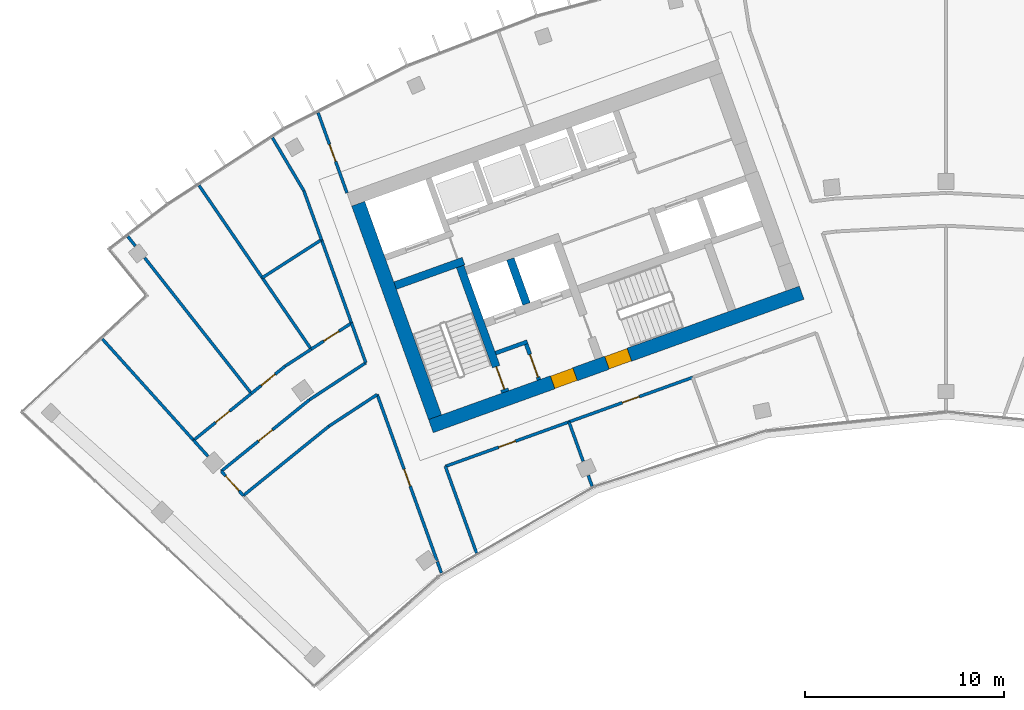
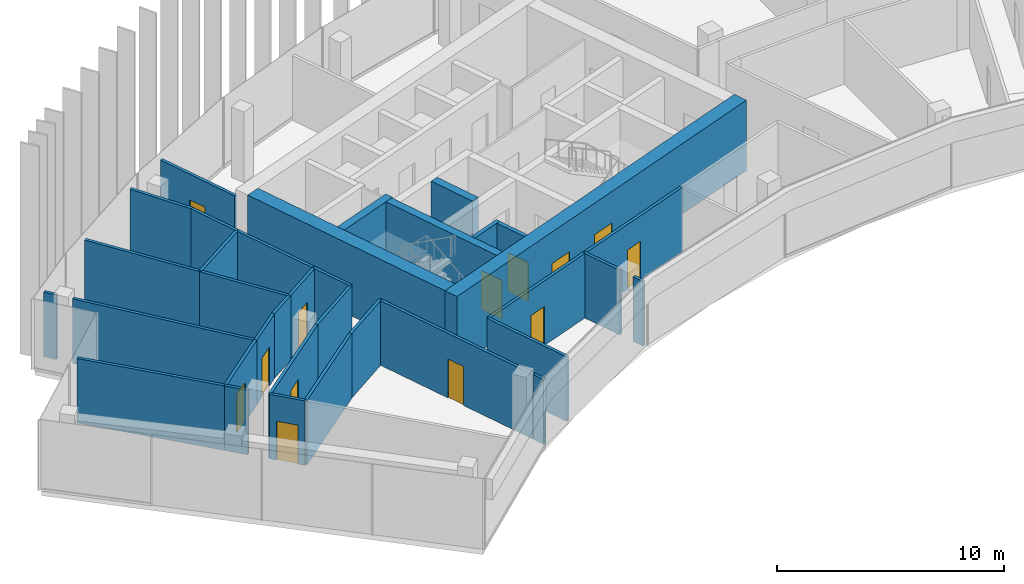
# One storey, part 13 of 19: 35 walls, 13 doors, 13 openings.
"""IFC4 building model written with IfcOpenShell, lengths in metres."""

from ifc_helpers import new_model, si_unit, direction, frame, frame_2d, origin, place, context, subcontext, project, spatial, rectangle, extrude, material, layer, layer_set, type_object, element, fill, save


model = new_model("IFC4")

# Units and contexts
model_context = context("Model", 3, precision=1e-05, world=origin(), true_north=direction((0.0, 1.0)))
body_context = subcontext(model_context, "Body", "Model", "MODEL_VIEW")
ifc_project = project(units=[si_unit("LENGTHUNIT", "METRE"), si_unit("AREAUNIT", "SQUARE_METRE"), si_unit("VOLUMEUNIT", "CUBIC_METRE"), si_unit("PLANEANGLEUNIT", "RADIAN"), si_unit("MASSUNIT", "GRAM", prefix="KILO")], contexts=[model_context])

# Site, building, storey
site_placement = place(None, origin())
site = spatial("IfcSite", under=ifc_project, at=site_placement, CompositionType="ELEMENT")
building_placement = place(site_placement, origin())
building = spatial("IfcBuilding", under=site, at=building_placement, Name="Stone Belt Terrace Tower", CompositionType="ELEMENT")
storey_placement = place(building_placement, frame((0.0, 0.0, 258.0)))
storey = spatial("IfcBuildingStorey", under=building, at=storey_placement, Name="L62", CompositionType="ELEMENT", Elevation=258.0)

# Wall, openings, doors
ifc_material_1 = material(Name="Concrete B60", Category="concrete")
ifc_layer_1 = layer(ifc_material_1, 0.699951171875)
ifc_layer_set_1 = layer_set([ifc_layer_1], Name="Core wall 700 B60")
wall_type_1 = type_object("IfcWallType", Name="Core wall 700 B60", PredefinedType="SHEAR", material=ifc_layer_set_1)
wall_1_placement = place(storey_placement, frame((-25.890869140625, 42.705810546875, 0.0), z_axis=(0.0, 0.0, 1.0), x_axis=(0.940925130461, 0.338614676094, 0.0)))
wall_1 = element("IfcWall", 1, at=wall_1_placement, inside=storey, type_object=wall_type_1, Name="Core A wall concave L62", PredefinedType="SHEAR", context=body_context, shape_type="SweptSolid", body=[
    extrude(rectangle(XDim=19.800048828125, YDim=0.699951171875, at=frame_2d((9.89990234375, 0.0))), origin(), (0.0, 0.0, 1.0), 3.800048828125),
])
opening_1_placement = place(wall_1_placement, frame((6.5, 0.0, 0.0)))
opening_1 = element("IfcOpeningElement", 2, at=opening_1_placement, cuts=wall_1, Name="Opening L62-C07", PredefinedType="OPENING", context=body_context, shape_type="SweptSolid", body=[
    extrude(rectangle(XDim=1.199951171875, YDim=2.10009765625, at=frame_2d((0.60009765625, 1.050048828125))), frame((0.0, 0.35986328125, 0.0), z_axis=(0.0, -1.0, 0.0), x_axis=(1.0, 0.0, 0.0)), (0.0, 0.0, 1.0), 0.719970703125),
])
opening_2_placement = place(wall_1_placement, frame((9.39990234375, 0.0, 0.0)))
opening_2 = element("IfcOpeningElement", 3, at=opening_2_placement, cuts=wall_1, Name="Opening L62-C09", PredefinedType="OPENING", context=body_context, shape_type="SweptSolid", body=[
    extrude(rectangle(XDim=1.199951171875, YDim=2.10009765625, at=frame_2d((0.60009765625, 1.050048828125))), frame((0.0, 0.35986328125, 0.0), z_axis=(0.0, -1.0, 0.0), x_axis=(1.0, 0.0, 0.0)), (0.0, 0.0, 1.0), 0.719970703125),
])
ifc_material_2 = material(Name="Steel door leaf", Category="steel")
door_type_1 = type_object("IfcDoorType", Name="Fire-fighting lobby door 1200", OperationType="SINGLE_SWING_LEFT", PredefinedType="DOOR", material=ifc_material_2)
door_1_placement = place(opening_1_placement, origin())
door_1 = element("IfcDoor", 4, at=door_1_placement, inside=storey, type_object=door_type_1, Name="Fire-fighting lobby door core A", OperationType="SINGLE_SWING_LEFT", OverallHeight=2.10009765625, OverallWidth=1.199951171875, PredefinedType="DOOR", context=body_context, shape_type="SweptSolid", body=[
    extrude(rectangle(XDim=1.199951171875, YDim=2.10009765625, at=frame_2d((0.60009765625, 1.050048828125))), frame((0.0, 0.330078125, 0.0), z_axis=(0.0, -1.0, 0.0), x_axis=(1.0, 0.0, 0.0)), (0.0, 0.0, 1.0), 0.659912109375),
])
fill(opening_1, door_1)
door_type_2 = type_object("IfcDoorType", Name="Stair door 1200", OperationType="SINGLE_SWING_LEFT", PredefinedType="DOOR", material=ifc_material_2)
door_2_placement = place(opening_2_placement, origin())
door_2 = element("IfcDoor", 5, at=door_2_placement, inside=storey, type_object=door_type_2, Name="Stair 2 exit door core A", OperationType="SINGLE_SWING_RIGHT", OverallHeight=2.10009765625, OverallWidth=1.199951171875, PredefinedType="DOOR", context=body_context, shape_type="SweptSolid", body=[
    extrude(rectangle(XDim=1.199951171875, YDim=2.10009765625, at=frame_2d((0.60009765625, 1.050048828125))), frame((0.0, 0.330078125, 0.0), z_axis=(0.0, -1.0, 0.0), x_axis=(1.0, 0.0, 0.0)), (0.0, 0.0, 1.0), 0.659912109375),
])
fill(opening_2, door_2)

# Walls
wall_2_placement = place(storey_placement, frame((-25.679931640625, 43.153564453125, 0.0), z_axis=(0.0, 0.0, 1.0), x_axis=(-0.338625431531, 0.940921259788, 0.0)))
element("IfcWall", 6, at=wall_2_placement, inside=storey, type_object=wall_type_1, Name="Core A wall end_a L62", PredefinedType="SHEAR", context=body_context, shape_type="SweptSolid", body=[
    extrude(rectangle(XDim=11.400146484375, YDim=0.699951171875, at=frame_2d((5.7001953125, 0.0))), origin(), (0.0, 0.0, 1.0), 3.800048828125),
])
ifc_material_3 = material(Name="Concrete B80", Category="concrete")
ifc_layer_2 = layer(ifc_material_3, 0.39990234375)
ifc_layer_set_2 = layer_set([ifc_layer_2], Name="Fire-fighting lift shaft wall 400")
wall_type_2 = type_object("IfcWallType", Name="Fire-fighting lift shaft wall 400", PredefinedType="SHEAR", material=ifc_layer_set_2)
wall_3_placement = place(storey_placement, frame((-21.0859375, 48.845458984375, 0.0), z_axis=(0.0, 0.0, 1.0), x_axis=(-0.338629416206, 0.940919825745, 0.0)))
element("IfcWall", 7, at=wall_3_placement, inside=storey, type_object=wall_type_2, Name="Core A wall", PredefinedType="SHEAR", context=body_context, shape_type="SweptSolid", body=[
    extrude(rectangle(XDim=2.400146484375, YDim=0.39990234375, at=frame_2d((1.2001953125, 0.0))), origin(), (0.0, 0.0, 1.0), 3.47998046875),
])
ifc_material_4 = material(Name="Gypsum board partition")
ifc_layer_3 = layer(ifc_material_4, 0.14990234375)
ifc_layer_set_3 = layer_set([ifc_layer_3], Name="PARTITION 150 EI 60")
wall_type_3 = type_object("IfcWallType", Name="PARTITION 150 EI 60", PredefinedType="PARTITIONING", material=ifc_layer_set_3)
wall_4_placement = place(storey_placement, frame((-25.1650390625, 40.68896484375, 0.0), z_axis=(0.0, 0.0, 1.0), x_axis=(0.338672803798, -0.940904209773, 0.0)))
element("IfcWall", 8, at=wall_4_placement, inside=storey, type_object=wall_type_3, Name="L62/wall/i001", PredefinedType="PARTITIONING", context=body_context, shape_type="SweptSolid", body=[
    extrude(rectangle(XDim=4.631591796875, YDim=0.14990234375, at=frame_2d((2.31591796875, 0.0))), origin(), (0.0, 0.0, 1.0), 3.47998046875),
])

# Wall, opening, door
wall_5_placement = place(storey_placement, frame((-31.556884765625, 58.451171875, 0.0), z_axis=(0.0, 0.0, 1.0), x_axis=(0.338725523051, -0.940885232127, 0.0)))
wall_5 = element("IfcWall", 9, at=wall_5_placement, inside=storey, type_object=wall_type_3, Name="L62/wall/i002", PredefinedType="PARTITIONING", context=body_context, shape_type="SweptSolid", body=[
    extrude(rectangle(XDim=4.283447265625, YDim=0.14990234375, at=frame_2d((2.1416015625, 0.0))), origin(), (0.0, 0.0, 1.0), 3.47998046875),
])
opening_3_placement = place(wall_5_placement, frame((1.691650390625, 0.0, 0.0)))
opening_3 = element("IfcOpeningElement", 10, at=opening_3_placement, cuts=wall_5, Name="Opening D-SK2-04", PredefinedType="OPENING", context=body_context, shape_type="SweptSolid", body=[
    extrude(rectangle(XDim=0.89990234375, YDim=2.10009765625, at=frame_2d((0.449951171875, 1.050048828125))), frame((0.0, 0.0849609375, 0.0), z_axis=(0.0, -1.0, 0.0), x_axis=(1.0, 0.0, 0.0)), (0.0, 0.0, 1.0), 0.169921875),
])
ifc_material_5 = material(Name="Timber door leaf", Category="wood")
door_type_3 = type_object("IfcDoorType", Name="OFFICE DOOR 900 X 2100", OperationType="NOTDEFINED", PredefinedType="DOOR", material=ifc_material_5)
door_3_placement = place(opening_3_placement, origin())
door_3 = element("IfcDoor", 11, at=door_3_placement, inside=storey, type_object=door_type_3, Name="L62/door/i04", OperationType="SINGLE_SWING_RIGHT", OverallHeight=2.10009765625, OverallWidth=0.89990234375, PredefinedType="DOOR", context=body_context, shape_type="SweptSolid", body=[
    extrude(rectangle(XDim=0.89990234375, YDim=2.10009765625, at=frame_2d((0.449951171875, 1.050048828125))), frame((0.0, 0.02490234375, 0.0), z_axis=(0.0, -1.0, 0.0), x_axis=(1.0, 0.0, 0.0)), (0.0, 0.0, 1.0), 0.050048828125),
])
fill(opening_3, door_3)

# Wall
wall_6_placement = place(storey_placement, frame((-25.361083984375, 35.330810546875, 0.0), z_axis=(0.0, 0.0, 1.0), x_axis=(-0.338533716033, 0.940954261964, 0.0)))
element("IfcWall", 12, at=wall_6_placement, inside=storey, type_object=wall_type_3, Name="L62/wall/i003", PredefinedType="PARTITIONING", context=body_context, shape_type="SweptSolid", body=[
    extrude(rectangle(XDim=0.60498046875, YDim=0.14990234375, at=frame_2d((0.302490234375, 0.0))), origin(), (0.0, 0.0, 1.0), 3.47998046875),
])

# Wall, opening, door
wall_7_placement = place(storey_placement, frame((-25.580322265625, 35.93994140625, 0.0), z_axis=(0.0, 0.0, 1.0), x_axis=(-0.338634815437, 0.940917882588, 0.0)))
wall_7 = element("IfcWall", 13, at=wall_7_placement, inside=storey, type_object=wall_type_3, Name="L62/wall/i004", PredefinedType="PARTITIONING", context=body_context, shape_type="SweptSolid", body=[
    extrude(rectangle(XDim=8.885009765625, YDim=0.14990234375, at=frame_2d((4.4423828125, 0.0))), origin(), (0.0, 0.0, 1.0), 3.47998046875),
])
opening_4_placement = place(wall_7_placement, frame((3.992431640625, 0.0, 0.0)))
opening_4 = element("IfcOpeningElement", 14, at=opening_4_placement, cuts=wall_7, Name="Opening D-SK2-12", PredefinedType="OPENING", context=body_context, shape_type="SweptSolid", body=[
    extrude(rectangle(XDim=0.89990234375, YDim=2.10009765625, at=frame_2d((0.449951171875, 1.050048828125))), frame((0.0, 0.0849609375, 0.0), z_axis=(0.0, -1.0, 0.0), x_axis=(1.0, 0.0, 0.0)), (0.0, 0.0, 1.0), 0.169921875),
])
door_4_placement = place(opening_4_placement, origin())
door_4 = element("IfcDoor", 15, at=door_4_placement, inside=storey, type_object=door_type_3, Name="L62/door/i12", OperationType="SINGLE_SWING_RIGHT", OverallHeight=2.10009765625, OverallWidth=0.89990234375, PredefinedType="DOOR", context=body_context, shape_type="SweptSolid", body=[
    extrude(rectangle(XDim=0.89990234375, YDim=2.10009765625, at=frame_2d((0.449951171875, 1.050048828125))), frame((0.0, 0.02490234375, 0.0), z_axis=(0.0, -1.0, 0.0), x_axis=(1.0, 0.0, 0.0)), (0.0, 0.0, 1.0), 0.050048828125),
])
fill(opening_4, door_4)

# Walls
wall_8_placement = place(storey_placement, frame((-29.158935546875, 45.884033203125, 0.0), z_axis=(0.0, 0.0, 1.0), x_axis=(-0.338743799147, 0.940878652398, 0.0)))
element("IfcWall", 16, at=wall_8_placement, inside=storey, type_object=wall_type_3, Name="L62/wall/i005", PredefinedType="PARTITIONING", context=body_context, shape_type="SweptSolid", body=[
    extrude(rectangle(XDim=2.1318359375, YDim=0.14990234375, at=frame_2d((1.06591796875, 0.0))), origin(), (0.0, 0.0, 1.0), 3.47998046875),
])
wall_9_placement = place(storey_placement, frame((-29.8779296875, 47.87890625, 0.0), z_axis=(0.0, 0.0, 1.0), x_axis=(-0.338467539999, 0.940978067952, 0.0)))
element("IfcWall", 17, at=wall_9_placement, inside=storey, type_object=wall_type_3, Name="L62/wall/i006", PredefinedType="PARTITIONING", context=body_context, shape_type="SweptSolid", body=[
    extrude(rectangle(XDim=4.46142578125, YDim=0.14990234375, at=frame_2d((2.230712890625, 0.0))), origin(), (0.0, 0.0, 1.0), 3.47998046875),
])
wall_10_placement = place(storey_placement, frame((-31.385009765625, 52.06591796875, 0.0), z_axis=(0.0, 0.0, 1.0), x_axis=(-0.338576932307, 0.940938712621, 0.0)))
element("IfcWall", 18, at=wall_10_placement, inside=storey, type_object=wall_type_3, Name="L62/wall/i007", PredefinedType="PARTITIONING", context=body_context, shape_type="SweptSolid", body=[
    extrude(rectangle(XDim=2.608154296875, YDim=0.14990234375, at=frame_2d((1.30419921875, 0.0))), origin(), (0.0, 0.0, 1.0), 3.47998046875),
])
wall_11_placement = place(storey_placement, frame((-32.26806640625, 54.52001953125, 0.0), z_axis=(0.0, 0.0, 1.0), x_axis=(-0.509561548311, 0.860434209271, 0.0)))
element("IfcWall", 19, at=wall_11_placement, inside=storey, type_object=wall_type_3, Name="L62/wall/i008", PredefinedType="PARTITIONING", context=body_context, shape_type="SweptSolid", body=[
    extrude(rectangle(XDim=3.1123046875, YDim=0.14990234375, at=frame_2d((1.55615234375, 0.0))), origin(), (0.0, 0.0, 1.0), 3.47998046875),
])

# Wall, opening, door
wall_12_placement = place(storey_placement, frame((-18.947021484375, 42.919921875, 0.0), z_axis=(0.0, 0.0, 1.0), x_axis=(-0.940934042754, -0.338589910047, 0.0)))
wall_12 = element("IfcWall", 20, at=wall_12_placement, inside=storey, type_object=wall_type_3, Name="L62/wall/i014", PredefinedType="PARTITIONING", context=body_context, shape_type="SweptSolid", body=[
    extrude(rectangle(XDim=6.606201171875, YDim=0.14990234375, at=frame_2d((3.30322265625, 0.0))), origin(), (0.0, 0.0, 1.0), 3.47998046875),
])
opening_5_placement = place(wall_12_placement, frame((2.85302734375, 0.0, 0.0)))
opening_5 = element("IfcOpeningElement", 21, at=opening_5_placement, cuts=wall_12, Name="Opening D-SK2-01", PredefinedType="OPENING", context=body_context, shape_type="SweptSolid", body=[
    extrude(rectangle(XDim=0.89990234375, YDim=2.10009765625, at=frame_2d((0.449951171875, 1.050048828125))), frame((0.0, 0.0849609375, 0.0), z_axis=(0.0, -1.0, 0.0), x_axis=(1.0, 0.0, 0.0)), (0.0, 0.0, 1.0), 0.169921875),
])
door_5_placement = place(opening_5_placement, origin())
door_5 = element("IfcDoor", 22, at=door_5_placement, inside=storey, type_object=door_type_3, Name="L62/door/i01", OperationType="SINGLE_SWING_RIGHT", OverallHeight=2.10009765625, OverallWidth=0.89990234375, PredefinedType="DOOR", context=body_context, shape_type="SweptSolid", body=[
    extrude(rectangle(XDim=0.89990234375, YDim=2.10009765625, at=frame_2d((0.449951171875, 1.050048828125))), frame((0.0, 0.02490234375, 0.0), z_axis=(0.0, -1.0, 0.0), x_axis=(1.0, 0.0, 0.0)), (0.0, 0.0, 1.0), 0.050048828125),
])
fill(opening_5, door_5)

wall_13_placement = place(storey_placement, frame((-12.737060546875, 45.155029296875, 0.0), z_axis=(0.0, 0.0, 1.0), x_axis=(-0.940929764212, -0.338601799788, 0.0)))
wall_13 = element("IfcWall", 23, at=wall_13_placement, inside=storey, type_object=wall_type_3, Name="L62/wall/i015", PredefinedType="PARTITIONING", context=body_context, shape_type="SweptSolid", body=[
    extrude(rectangle(XDim=6.612548828125, YDim=0.14990234375, at=frame_2d((3.30615234375, 0.0))), origin(), (0.0, 0.0, 1.0), 3.47998046875),
])
opening_6_placement = place(wall_13_placement, frame((2.856201171875, 0.0, 0.0)))
opening_6 = element("IfcOpeningElement", 24, at=opening_6_placement, cuts=wall_13, Name="Opening D-SK2-02", PredefinedType="OPENING", context=body_context, shape_type="SweptSolid", body=[
    extrude(rectangle(XDim=0.89990234375, YDim=2.10009765625, at=frame_2d((0.449951171875, 1.050048828125))), frame((0.0, 0.0849609375, 0.0), z_axis=(0.0, -1.0, 0.0), x_axis=(1.0, 0.0, 0.0)), (0.0, 0.0, 1.0), 0.169921875),
])
door_6_placement = place(opening_6_placement, origin())
door_6 = element("IfcDoor", 25, at=door_6_placement, inside=storey, type_object=door_type_3, Name="L62/door/i02", OperationType="SINGLE_SWING_RIGHT", OverallHeight=2.10009765625, OverallWidth=0.89990234375, PredefinedType="DOOR", context=body_context, shape_type="SweptSolid", body=[
    extrude(rectangle(XDim=0.89990234375, YDim=2.10009765625, at=frame_2d((0.449951171875, 1.050048828125))), frame((0.0, 0.02490234375, 0.0), z_axis=(0.0, -1.0, 0.0), x_axis=(1.0, 0.0, 0.0)), (0.0, 0.0, 1.0), 0.050048828125),
])
fill(opening_6, door_6)

# Walls
wall_14_placement = place(storey_placement, frame((-18.952880859375, 42.91796875, 0.0), z_axis=(0.0, 0.0, 1.0), x_axis=(0.338665874932, -0.940906703747, 0.0)))
element("IfcWall", 26, at=wall_14_placement, inside=storey, type_object=wall_type_3, Name="L62/wall/i017", PredefinedType="PARTITIONING", context=body_context, shape_type="SweptSolid", body=[
    extrude(rectangle(XDim=2.09716796875, YDim=0.14990234375, at=frame_2d((1.048583984375, 0.0))), origin(), (0.0, 0.0, 1.0), 3.47998046875),
])
wall_15_placement = place(storey_placement, frame((-17.984375, 40.22802734375, 0.0), z_axis=(0.0, 0.0, 1.0), x_axis=(0.338719468273, -0.940887411869, 0.0)))
element("IfcWall", 27, at=wall_15_placement, inside=storey, type_object=wall_type_3, Name="L62/wall/i018", PredefinedType="PARTITIONING", context=body_context, shape_type="SweptSolid", body=[
    extrude(rectangle(XDim=0.57080078125, YDim=0.14990234375, at=frame_2d((0.285400390625, 0.0))), origin(), (0.0, 0.0, 1.0), 3.47998046875),
])

# Wall, opening, door
wall_16_placement = place(storey_placement, frame((-35.31005859375, 39.214111328125, 0.0), z_axis=(0.0, 0.0, 1.0), x_axis=(-0.669191970187, 0.743089568651, 0.0)))
wall_16 = element("IfcWall", 28, at=wall_16_placement, inside=storey, type_object=wall_type_3, Name="L62/wall/i039", PredefinedType="PARTITIONING", context=body_context, shape_type="SweptSolid", body=[
    extrude(rectangle(XDim=1.661865234375, YDim=0.14990234375, at=frame_2d((0.8310546875, 0.0))), origin(), (0.0, 0.0, 1.0), 3.47998046875),
])
opening_7_placement = place(wall_16_placement, frame((0.330810546875, 0.0, 0.0)))
opening_7 = element("IfcOpeningElement", 29, at=opening_7_placement, cuts=wall_16, Name="Opening D-SK2-11", PredefinedType="OPENING", context=body_context, shape_type="SweptSolid", body=[
    extrude(rectangle(XDim=1.0, YDim=2.10009765625, at=frame_2d((0.5, 1.050048828125))), frame((0.0, 0.0849609375, 0.0), z_axis=(0.0, -1.0, 0.0), x_axis=(1.0, 0.0, 0.0)), (0.0, 0.0, 1.0), 0.169921875),
])
ifc_material_6 = material(Name="Timber fire door leaf", Category="wood")
door_type_4 = type_object("IfcDoorType", Name="TENANCY ENTRANCE DOOR 1000 X 2100", OperationType="NOTDEFINED", PredefinedType="DOOR", material=ifc_material_6)
door_7_placement = place(opening_7_placement, origin())
door_7 = element("IfcDoor", 30, at=door_7_placement, inside=storey, type_object=door_type_4, Name="L62/door/i11", OperationType="SINGLE_SWING_RIGHT", OverallHeight=2.10009765625, OverallWidth=1.0, PredefinedType="DOOR", context=body_context, shape_type="SweptSolid", body=[
    extrude(rectangle(XDim=1.0, YDim=2.10009765625, at=frame_2d((0.5, 1.050048828125))), frame((0.0, 0.02490234375, 0.0), z_axis=(0.0, -1.0, 0.0), x_axis=(1.0, 0.0, 0.0)), (0.0, 0.0, 1.0), 0.050048828125),
])
fill(opening_7, door_7)

# Walls
wall_17_placement = place(storey_placement, frame((-37.81591796875, 41.9990234375, 0.0), z_axis=(0.0, 0.0, 1.0), x_axis=(0.668890146506, -0.74336126608, 0.0)))
element("IfcWall", 31, at=wall_17_placement, inside=storey, type_object=wall_type_3, Name="L62/wall/i041", PredefinedType="PARTITIONING", context=body_context, shape_type="SweptSolid", body=[
    extrude(rectangle(XDim=1.085205078125, YDim=0.14990234375, at=frame_2d((0.54248046875, 0.0))), origin(), (0.0, 0.0, 1.0), 3.47998046875),
])
wall_18_placement = place(storey_placement, frame((-42.39892578125, 47.08837890625, 0.0), z_axis=(0.0, 0.0, 1.0), x_axis=(0.669068935268, -0.743200349744, 0.0)))
element("IfcWall", 32, at=wall_18_placement, inside=storey, type_object=wall_type_3, Name="L62/wall/i042", PredefinedType="PARTITIONING", context=body_context, shape_type="SweptSolid", body=[
    extrude(rectangle(XDim=6.860107421875, YDim=0.14990234375, at=frame_2d((3.43017578125, 0.0))), origin(), (0.0, 0.0, 1.0), 3.47998046875),
])
wall_19_placement = place(storey_placement, frame((-28.587890625, 44.2939453125, 0.0), z_axis=(0.0, 0.0, 1.0), x_axis=(-0.835761580692, -0.549092506086, 0.0)))
element("IfcWall", 33, at=wall_19_placement, inside=storey, type_object=wall_type_3, Name="L62/wall/i043", PredefinedType="PARTITIONING", context=body_context, shape_type="SweptSolid", body=[
    extrude(rectangle(XDim=2.91015625, YDim=0.14990234375, at=frame_2d((1.455078125, 0.0))), origin(), (0.0, 0.0, 1.0), 3.47998046875),
])
wall_20_placement = place(storey_placement, frame((-31.02001953125, 42.696044921875, 0.0), z_axis=(0.0, 0.0, 1.0), x_axis=(-0.777086357318, -0.629393988906, 0.0)))
element("IfcWall", 34, at=wall_20_placement, inside=storey, type_object=wall_type_3, Name="L62/wall/i044", PredefinedType="PARTITIONING", context=body_context, shape_type="SweptSolid", body=[
    extrude(rectangle(XDim=5.5244140625, YDim=0.14990234375, at=frame_2d((2.76220703125, 0.0))), origin(), (0.0, 0.0, 1.0), 3.47998046875),
])

# Wall, opening, door
wall_21_placement = place(storey_placement, frame((-36.4169921875, 40.446044921875, 0.0), z_axis=(0.0, 0.0, 1.0), x_axis=(0.777142060115, 0.629325208776, 0.0)))
wall_21 = element("IfcWall", 35, at=wall_21_placement, inside=storey, type_object=wall_type_3, Name="L62/wall/i045", PredefinedType="PARTITIONING", context=body_context, shape_type="SweptSolid", body=[
    extrude(rectangle(XDim=5.696533203125, YDim=0.14990234375, at=frame_2d((2.84814453125, 0.0))), origin(), (0.0, 0.0, 1.0), 3.47998046875),
])
opening_8_placement = place(wall_21_placement, frame((2.398193359375, 0.0, 0.0)))
opening_8 = element("IfcOpeningElement", 36, at=opening_8_placement, cuts=wall_21, Name="Opening D-SK2-13", PredefinedType="OPENING", context=body_context, shape_type="SweptSolid", body=[
    extrude(rectangle(XDim=0.89990234375, YDim=2.10009765625, at=frame_2d((0.449951171875, 1.050048828125))), frame((0.0, 0.0849609375, 0.0), z_axis=(0.0, -1.0, 0.0), x_axis=(1.0, 0.0, 0.0)), (0.0, 0.0, 1.0), 0.169921875),
])
door_8_placement = place(opening_8_placement, origin())
door_8 = element("IfcDoor", 37, at=door_8_placement, inside=storey, type_object=door_type_3, Name="L62/door/i13", OperationType="SINGLE_SWING_RIGHT", OverallHeight=2.10009765625, OverallWidth=0.89990234375, PredefinedType="DOOR", context=body_context, shape_type="SweptSolid", body=[
    extrude(rectangle(XDim=0.89990234375, YDim=2.10009765625, at=frame_2d((0.449951171875, 1.050048828125))), frame((0.0, 0.02490234375, 0.0), z_axis=(0.0, -1.0, 0.0), x_axis=(1.0, 0.0, 0.0)), (0.0, 0.0, 1.0), 0.050048828125),
])
fill(opening_8, door_8)

# Wall
wall_22_placement = place(storey_placement, frame((-31.989990234375, 44.031005859375, 0.0), z_axis=(0.0, 0.0, 1.0), x_axis=(0.835761298164, 0.549092936115, 0.0)))
element("IfcWall", 38, at=wall_22_placement, inside=storey, type_object=wall_type_3, Name="L62/wall/i046", PredefinedType="PARTITIONING", context=body_context, shape_type="SweptSolid", body=[
    extrude(rectangle(XDim=3.383544921875, YDim=0.14990234375, at=frame_2d((1.69189453125, 0.0))), origin(), (0.0, 0.0, 1.0), 3.47998046875),
])

# Wall, opening, door
wall_23_placement = place(storey_placement, frame((-37.81201171875, 41.9951171875, 0.0), z_axis=(0.0, 0.0, 1.0), x_axis=(0.777076314507, 0.629406388141, 0.0)))
wall_23 = element("IfcWall", 39, at=wall_23_placement, inside=storey, type_object=wall_type_3, Name="L62/wall/i047", PredefinedType="PARTITIONING", context=body_context, shape_type="SweptSolid", body=[
    extrude(rectangle(XDim=3.74462890625, YDim=0.14990234375, at=frame_2d((1.872314453125, 0.0))), origin(), (0.0, 0.0, 1.0), 3.47998046875),
])
opening_9_placement = place(wall_23_placement, frame((1.42236328125, 0.0, 0.0)))
opening_9 = element("IfcOpeningElement", 40, at=opening_9_placement, cuts=wall_23, Name="Opening D-SK2-14", PredefinedType="OPENING", context=body_context, shape_type="SweptSolid", body=[
    extrude(rectangle(XDim=0.89990234375, YDim=2.10009765625, at=frame_2d((0.449951171875, 1.050048828125))), frame((0.0, 0.0849609375, 0.0), z_axis=(0.0, -1.0, 0.0), x_axis=(1.0, 0.0, 0.0)), (0.0, 0.0, 1.0), 0.169921875),
])
door_9_placement = place(opening_9_placement, origin())
door_9 = element("IfcDoor", 41, at=door_9_placement, inside=storey, type_object=door_type_3, Name="L62/door/i14", OperationType="SINGLE_SWING_RIGHT", OverallHeight=2.10009765625, OverallWidth=0.89990234375, PredefinedType="DOOR", context=body_context, shape_type="SweptSolid", body=[
    extrude(rectangle(XDim=0.89990234375, YDim=2.10009765625, at=frame_2d((0.449951171875, 1.050048828125))), frame((0.0, 0.02490234375, 0.0), z_axis=(0.0, -1.0, 0.0), x_axis=(1.0, 0.0, 0.0)), (0.0, 0.0, 1.0), 0.050048828125),
])
fill(opening_9, door_9)

wall_24_placement = place(storey_placement, frame((-34.912109375, 44.343994140625, 0.0), z_axis=(0.0, 0.0, 1.0), x_axis=(0.777013000008, 0.629484549309, 0.0)))
wall_24 = element("IfcWall", 42, at=wall_24_placement, inside=storey, type_object=wall_type_3, Name="L62/wall/i048", PredefinedType="PARTITIONING", context=body_context, shape_type="SweptSolid", body=[
    extrude(rectangle(XDim=2.182861328125, YDim=0.14990234375, at=frame_2d((1.09130859375, 0.0))), origin(), (0.0, 0.0, 1.0), 3.47998046875),
])
opening_10_placement = place(wall_24_placement, frame((0.641357421875, 0.0, 0.0)))
opening_10 = element("IfcOpeningElement", 43, at=opening_10_placement, cuts=wall_24, Name="Opening D-SK2-15", PredefinedType="OPENING", context=body_context, shape_type="SweptSolid", body=[
    extrude(rectangle(XDim=0.89990234375, YDim=2.10009765625, at=frame_2d((0.449951171875, 1.050048828125))), frame((0.0, 0.0849609375, 0.0), z_axis=(0.0, -1.0, 0.0), x_axis=(1.0, 0.0, 0.0)), (0.0, 0.0, 1.0), 0.169921875),
])
door_10_placement = place(opening_10_placement, origin())
door_10 = element("IfcDoor", 44, at=door_10_placement, inside=storey, type_object=door_type_3, Name="L62/door/i15", OperationType="SINGLE_SWING_RIGHT", OverallHeight=2.10009765625, OverallWidth=0.89990234375, PredefinedType="DOOR", context=body_context, shape_type="SweptSolid", body=[
    extrude(rectangle(XDim=0.89990234375, YDim=2.10009765625, at=frame_2d((0.449951171875, 1.050048828125))), frame((0.0, 0.02490234375, 0.0), z_axis=(0.0, -1.0, 0.0), x_axis=(1.0, 0.0, 0.0)), (0.0, 0.0, 1.0), 0.050048828125),
])
fill(opening_10, door_10)

# Wall
wall_25_placement = place(storey_placement, frame((-33.216064453125, 45.718017578125, 0.0), z_axis=(0.0, 0.0, 1.0), x_axis=(0.838681324273, 0.544622471365, 0.0)))
element("IfcWall", 45, at=wall_25_placement, inside=storey, type_object=wall_type_3, Name="L62/wall/i049", PredefinedType="PARTITIONING", context=body_context, shape_type="SweptSolid", body=[
    extrude(rectangle(XDim=1.571533203125, YDim=0.14990234375, at=frame_2d((0.78564453125, 0.0))), origin(), (0.0, 0.0, 1.0), 3.47998046875),
])

# Wall, opening, door
wall_26_placement = place(storey_placement, frame((-31.907958984375, 46.568115234375, 0.0), z_axis=(0.0, 0.0, 1.0), x_axis=(0.838884021004, 0.544310205034, 0.0)))
wall_26 = element("IfcWall", 46, at=wall_26_placement, inside=storey, type_object=wall_type_3, Name="L62/wall/i050", PredefinedType="PARTITIONING", context=body_context, shape_type="SweptSolid", body=[
    extrude(rectangle(XDim=2.41748046875, YDim=0.14990234375, at=frame_2d((1.208740234375, 0.0))), origin(), (0.0, 0.0, 1.0), 3.47998046875),
])
opening_11_placement = place(wall_26_placement, frame((0.7587890625, 0.0, 0.0)))
opening_11 = element("IfcOpeningElement", 47, at=opening_11_placement, cuts=wall_26, Name="Opening D-SK2-16", PredefinedType="OPENING", context=body_context, shape_type="SweptSolid", body=[
    extrude(rectangle(XDim=0.89990234375, YDim=2.10009765625, at=frame_2d((0.449951171875, 1.050048828125))), frame((0.0, 0.0849609375, 0.0), z_axis=(0.0, -1.0, 0.0), x_axis=(1.0, 0.0, 0.0)), (0.0, 0.0, 1.0), 0.169921875),
])
door_11_placement = place(opening_11_placement, origin())
door_11 = element("IfcDoor", 48, at=door_11_placement, inside=storey, type_object=door_type_3, Name="L62/door/i16", OperationType="SINGLE_SWING_RIGHT", OverallHeight=2.10009765625, OverallWidth=0.89990234375, PredefinedType="DOOR", context=body_context, shape_type="SweptSolid", body=[
    extrude(rectangle(XDim=0.89990234375, YDim=2.10009765625, at=frame_2d((0.449951171875, 1.050048828125))), frame((0.0, 0.02490234375, 0.0), z_axis=(0.0, -1.0, 0.0), x_axis=(1.0, 0.0, 0.0)), (0.0, 0.0, 1.0), 0.050048828125),
])
fill(opening_11, door_11)

# Walls
wall_27_placement = place(storey_placement, frame((-41.117919921875, 52.238525390625, 0.0), z_axis=(0.0, 0.0, 1.0), x_axis=(0.618580615987, -0.785721338342, 0.0)))
element("IfcWall", 49, at=wall_27_placement, inside=storey, type_object=wall_type_3, Name="L62/wall/i051", PredefinedType="PARTITIONING", context=body_context, shape_type="SweptSolid", body=[
    extrude(rectangle(XDim=0.610595703125, YDim=0.14990234375, at=frame_2d((0.30517578125, 0.0))), origin(), (0.0, 0.0, 1.0), 3.47998046875),
])
wall_28_placement = place(storey_placement, frame((-40.27001953125, 51.161376953125, 0.0), z_axis=(0.0, 0.0, 1.0), x_axis=(0.618505236333, -0.785780677179, 0.0)))
element("IfcWall", 50, at=wall_28_placement, inside=storey, type_object=wall_type_3, Name="L62/wall/i052", PredefinedType="PARTITIONING", context=body_context, shape_type="SweptSolid", body=[
    extrude(rectangle(XDim=8.6708984375, YDim=0.14990234375, at=frame_2d((4.33544921875, 0.0))), origin(), (0.0, 0.0, 1.0), 3.47998046875),
])
wall_29_placement = place(storey_placement, frame((-34.364990234375, 50.1650390625, 0.0), z_axis=(0.0, 0.0, 1.0), x_axis=(0.565131854599, -0.825000598131, 0.0)))
element("IfcWall", 51, at=wall_29_placement, inside=storey, type_object=wall_type_3, Name="L62/wall/i053", PredefinedType="PARTITIONING", context=body_context, shape_type="SweptSolid", body=[
    extrude(rectangle(XDim=4.3564453125, YDim=0.14990234375, at=frame_2d((2.17822265625, 0.0))), origin(), (0.0, 0.0, 1.0), 3.47998046875),
])
wall_30_placement = place(storey_placement, frame((-37.54248046875, 54.803466796875, 0.0), z_axis=(0.0, 0.0, 1.0), x_axis=(0.565174652055, -0.824971279909, 0.0)))
element("IfcWall", 52, at=wall_30_placement, inside=storey, type_object=wall_type_3, Name="L62/wall/i054", PredefinedType="PARTITIONING", context=body_context, shape_type="SweptSolid", body=[
    extrude(rectangle(XDim=5.634765625, YDim=0.14990234375, at=frame_2d((2.8173828125, 0.0))), origin(), (0.0, 0.0, 1.0), 3.47998046875),
])
wall_31_placement = place(storey_placement, frame((-34.362060546875, 50.159912109375, 0.0), z_axis=(0.0, 0.0, 1.0), x_axis=(0.841362376163, 0.540471416429, 0.0)))
element("IfcWall", 53, at=wall_31_placement, inside=storey, type_object=wall_type_3, Name="L62/wall/i055", PredefinedType="PARTITIONING", context=body_context, shape_type="SweptSolid", body=[
    extrude(rectangle(XDim=3.5361328125, YDim=0.14990234375, at=frame_2d((1.76806640625, 0.0))), origin(), (0.0, 0.0, 1.0), 3.47998046875),
])
ifc_material_7 = material(Name="Concrete masonry block", Category="masonry")
ifc_layer_4 = layer(ifc_material_7, 0.199951171875)
ifc_layer_set_4 = layer_set([ifc_layer_4], Name="Rated lobby wall 200")
wall_type_4 = type_object("IfcWallType", Name="Rated lobby wall 200", PredefinedType="PARTITIONING", material=ifc_layer_set_4)
wall_32_placement = place(storey_placement, frame((-22.640625, 46.373046875, 0.0), z_axis=(0.0, 0.0, 1.0), x_axis=(0.940966110313, 0.338500781747, 0.0)))
element("IfcWall", 54, at=wall_32_placement, inside=storey, type_object=wall_type_4, Name="Core A wall", PredefinedType="PARTITIONING", context=body_context, shape_type="SweptSolid", body=[
    extrude(rectangle(XDim=1.699951171875, YDim=0.199951171875, at=frame_2d((0.85009765625, 0.0))), origin(), (0.0, 0.0, 1.0), 3.47998046875),
])

# Wall, opening, door
wall_33_placement = place(storey_placement, frame((-20.4580078125, 45.032958984375, 0.0), z_axis=(0.0, 0.0, 1.0), x_axis=(-0.338573865316, 0.940939816208, 0.0)))
wall_33 = element("IfcWall", 55, at=wall_33_placement, inside=storey, type_object=wall_type_4, Name="Core A wall", PredefinedType="PARTITIONING", context=body_context, shape_type="SweptSolid", body=[
    extrude(rectangle(XDim=1.900146484375, YDim=0.199951171875, at=frame_2d((0.9501953125, 0.0))), origin(), (0.0, 0.0, 1.0), 3.47998046875),
])
opening_12_placement = place(wall_33_placement, frame((0.14990234375, 0.0, 0.0)))
opening_12 = element("IfcOpeningElement", 56, at=opening_12_placement, cuts=wall_33, Name="Opening L62-C06", PredefinedType="OPENING", context=body_context, shape_type="SweptSolid", body=[
    extrude(rectangle(XDim=1.199951171875, YDim=2.10009765625, at=frame_2d((0.60009765625, 1.050048828125))), frame((0.0, 0.10986328125, 0.0), z_axis=(0.0, -1.0, 0.0), x_axis=(1.0, 0.0, 0.0)), (0.0, 0.0, 1.0), 0.219970703125),
])
door_12_placement = place(opening_12_placement, origin())
door_12 = element("IfcDoor", 57, at=door_12_placement, inside=storey, type_object=door_type_2, Name="Stair airlock door core A", OperationType="SINGLE_SWING_LEFT", OverallHeight=2.10009765625, OverallWidth=1.199951171875, PredefinedType="DOOR", context=body_context, shape_type="SweptSolid", body=[
    extrude(rectangle(XDim=1.199951171875, YDim=2.10009765625, at=frame_2d((0.60009765625, 1.050048828125))), frame((0.0, 0.02490234375, 0.0), z_axis=(0.0, -1.0, 0.0), x_axis=(1.0, 0.0, 0.0)), (0.0, 0.0, 1.0), 0.050048828125),
])
fill(opening_12, door_12)

# Wall
ifc_layer_5 = layer(ifc_material_3, 0.39990234375)
ifc_layer_set_5 = layer_set([ifc_layer_5], Name="Stair enclosure wall 400")
wall_type_5 = type_object("IfcWallType", Name="Stair enclosure wall 400", PredefinedType="SHEAR", material=ifc_layer_set_5)
wall_34_placement = place(storey_placement, frame((-27.687255859375, 49.764404296875, 0.0), z_axis=(0.0, 0.0, 1.0), x_axis=(0.940918954884, 0.338631835981, 0.0)))
element("IfcWall", 58, at=wall_34_placement, inside=storey, type_object=wall_type_5, Name="Core A wall", PredefinedType="SHEAR", context=body_context, shape_type="SweptSolid", body=[
    extrude(rectangle(XDim=3.650146484375, YDim=0.39990234375, at=frame_2d((1.8251953125, 0.0))), origin(), (0.0, 0.0, 1.0), 3.47998046875),
])

# Wall, opening, door
wall_35_placement = place(storey_placement, frame((-22.151611328125, 44.42333984375, 0.0), z_axis=(0.0, 0.0, 1.0), x_axis=(-0.338625272931, 0.940921316866, 0.0)))
wall_35 = element("IfcWall", 59, at=wall_35_placement, inside=storey, type_object=wall_type_5, Name="Core A wall", PredefinedType="SHEAR", context=body_context, shape_type="SweptSolid", body=[
    extrude(rectangle(XDim=6.699951171875, YDim=0.39990234375, at=frame_2d((3.35009765625, 0.0))), origin(), (0.0, 0.0, 1.0), 3.47998046875),
])
opening_13_placement = place(wall_35_placement, frame((0.14990234375, 0.0, 0.0)))
opening_13 = element("IfcOpeningElement", 60, at=opening_13_placement, cuts=wall_35, Name="Opening L62-C05", PredefinedType="OPENING", context=body_context, shape_type="SweptSolid", body=[
    extrude(rectangle(XDim=1.199951171875, YDim=2.10009765625, at=frame_2d((0.60009765625, 1.050048828125))), frame((0.0, 0.2099609375, 0.0), z_axis=(0.0, -1.0, 0.0), x_axis=(1.0, 0.0, 0.0)), (0.0, 0.0, 1.0), 0.419921875),
])
door_13_placement = place(opening_13_placement, origin())
door_13 = element("IfcDoor", 61, at=door_13_placement, inside=storey, type_object=door_type_2, Name="Stair 1 door core A", OperationType="SINGLE_SWING_LEFT", OverallHeight=2.10009765625, OverallWidth=1.199951171875, PredefinedType="DOOR", context=body_context, shape_type="SweptSolid", body=[
    extrude(rectangle(XDim=1.199951171875, YDim=2.10009765625, at=frame_2d((0.60009765625, 1.050048828125))), frame((0.0, 0.02490234375, 0.0), z_axis=(0.0, -1.0, 0.0), x_axis=(1.0, 0.0, 0.0)), (0.0, 0.0, 1.0), 0.050048828125),
])
fill(opening_13, door_13)

save(model, "model.ifc")
